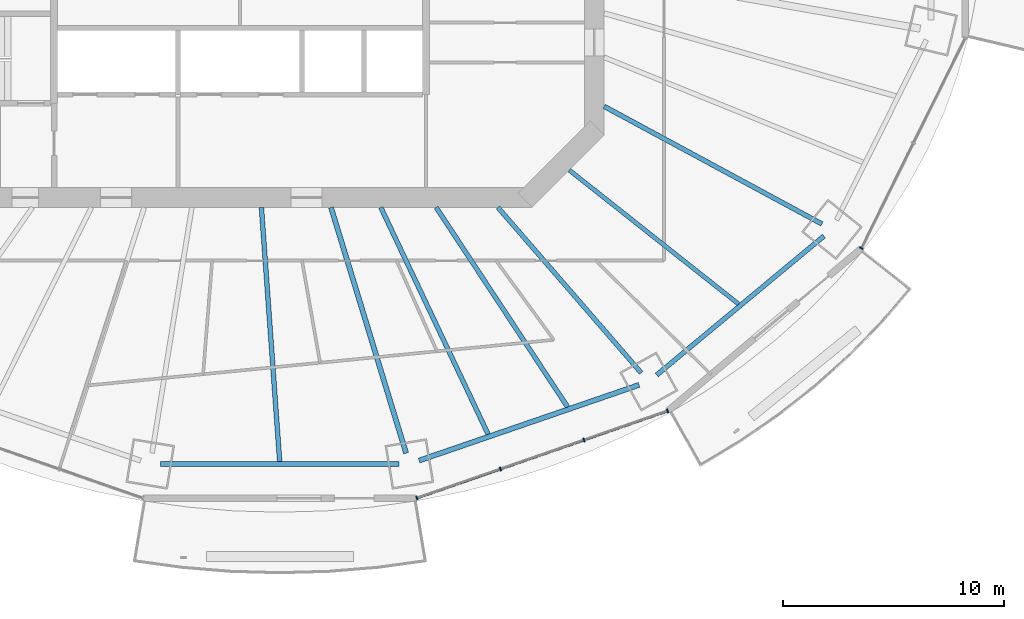
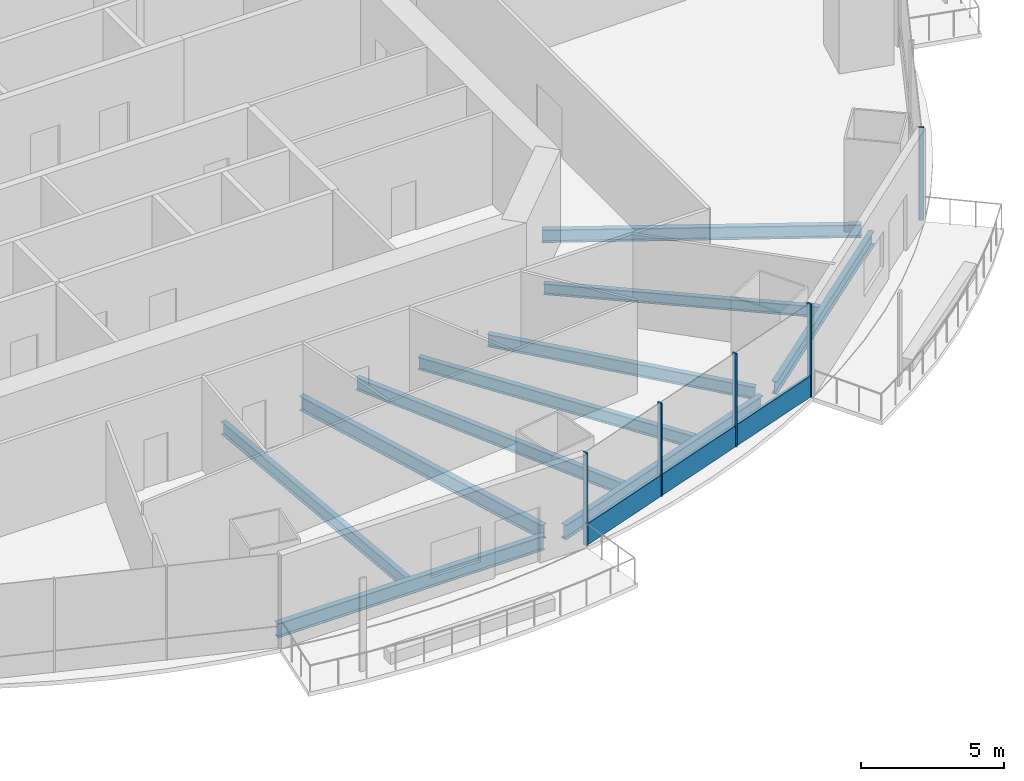
# One storey, part 4 of 21: 10 beams, 6 members, 2 elements without a shape of their own.
"""IFC4 building model written with IfcOpenShell, lengths in metres."""

from ifc_helpers import new_model, si_unit, direction, frame, origin, origin_2d, place, context, subcontext, project, spatial, rectangle, i_section, extrude, material, material_profile, profile_set, type_object, element, aggregate, save


model = new_model("IFC4")

# Units and contexts
model_context = context("Model", 3, precision=1e-05, world=origin(), true_north=direction((0.0, 1.0)))
body_context = subcontext(model_context, "Body", "Model", "MODEL_VIEW")
ifc_project = project(units=[si_unit("LENGTHUNIT", "METRE"), si_unit("AREAUNIT", "SQUARE_METRE"), si_unit("VOLUMEUNIT", "CUBIC_METRE"), si_unit("PLANEANGLEUNIT", "RADIAN"), si_unit("MASSUNIT", "GRAM", prefix="KILO")], contexts=[model_context])

# Site, building, storey
site_placement = place(None, origin())
site = spatial("IfcSite", under=ifc_project, at=site_placement, CompositionType="ELEMENT")
building_placement = place(site_placement, origin())
building = spatial("IfcBuilding", under=site, at=building_placement, Name="Marenthal Gate Tower", CompositionType="ELEMENT")
storey_placement = place(building_placement, frame((0.0, 0.0, 206.699951171875)))
storey = spatial("IfcBuildingStorey", under=building, at=storey_placement, Name="L45", CompositionType="ELEMENT", Elevation=206.699951171875)

# Curtain wall, members
ifc_material_1 = material(Name="Aluminium and glass", Category="aluminium")
curtain_wall_type = type_object("IfcCurtainWallType", Name="Curtain wall typical mid", PredefinedType="NOTDEFINED", material=ifc_material_1)
curtain_wall_1_placement = place(storey_placement, origin())
curtain_wall_1 = element("IfcCurtainWall", 1, at=curtain_wall_1_placement, inside=storey, type_object=curtain_wall_type, Name="Curtain wall L45 bay 13", PredefinedType="NOTDEFINED")
ifc_material_2 = material(Name="Aluminium", Category="aluminium")
ifc_material_profile_1 = material_profile(ifc_material_2, rectangle(XDim=0.179931640625, YDim=0.06005859375, at=origin_2d()), Name="60x180 aluminium mullion")
ifc_profile_set_1 = profile_set([ifc_material_profile_1], Name="Aluminium")
member_type_1 = type_object("IfcMemberType", Name="Mullion 60x180 typical mid", PredefinedType="MULLION", material=ifc_profile_set_1)
member_1_placement = place(storey_placement, frame((7.98779296875, -26.576171875, 0.0), z_axis=(0.0, 0.0, 1.0), x_axis=(-0.328332307555, 0.944562277362, 0.0)))
member_1 = element("IfcMember", 2, at=member_1_placement, type_object=member_type_1, Name="Mullion L45 bay 13.1", PredefinedType="MULLION", context=body_context, shape_type="SweptSolid", body=[
    extrude(rectangle(XDim=0.179931640625, YDim=0.06005859375, at=origin_2d()), origin(), (0.0, 0.0, 1.0), 3.969970703125),
])
member_2_placement = place(storey_placement, frame((11.7626953125, -25.263916015625, 0.0), z_axis=(0.0, 0.0, 1.0), x_axis=(-0.328332307555, 0.944562277362, 0.0)))
member_2 = element("IfcMember", 3, at=member_2_placement, type_object=member_type_1, Name="Mullion L45 bay 13.2", PredefinedType="MULLION", context=body_context, shape_type="SweptSolid", body=[
    extrude(rectangle(XDim=0.179931640625, YDim=0.06005859375, at=origin_2d()), origin(), (0.0, 0.0, 1.0), 3.969970703125),
])
member_3_placement = place(storey_placement, frame((15.537353515625, -23.951904296875, 0.0), z_axis=(0.0, 0.0, 1.0), x_axis=(-0.328332307555, 0.944562277362, 0.0)))
member_3 = element("IfcMember", 4, at=member_3_placement, type_object=member_type_1, Name="Mullion L45 bay 13.3", PredefinedType="MULLION", context=body_context, shape_type="SweptSolid", body=[
    extrude(rectangle(XDim=0.179931640625, YDim=0.06005859375, at=origin_2d()), origin(), (0.0, 0.0, 1.0), 3.969970703125),
])
member_4_placement = place(storey_placement, frame((19.312255859375, -22.6396484375, 0.0), z_axis=(0.0, 0.0, 1.0), x_axis=(-0.328332307555, 0.944562277362, 0.0)))
member_4 = element("IfcMember", 5, at=member_4_placement, type_object=member_type_1, Name="Mullion L45 bay 13.4", PredefinedType="MULLION", context=body_context, shape_type="SweptSolid", body=[
    extrude(rectangle(XDim=0.179931640625, YDim=0.06005859375, at=origin_2d()), origin(), (0.0, 0.0, 1.0), 3.969970703125),
])

# Curtain wall, member
curtain_wall_2_placement = place(storey_placement, origin())
curtain_wall_2 = element("IfcCurtainWall", 6, at=curtain_wall_2_placement, inside=storey, type_object=curtain_wall_type, Name="Curtain wall L45 bay 15", PredefinedType="NOTDEFINED")
member_5_placement = place(storey_placement, frame((28.064453125, -15.29296875, 0.0), z_axis=(0.0, 0.0, 1.0), x_axis=(-0.896715617309, 0.442607164057, 0.0)))
member_5 = element("IfcMember", 7, at=member_5_placement, type_object=member_type_1, Name="Mullion L45 bay 15.1", PredefinedType="MULLION", context=body_context, shape_type="SweptSolid", body=[
    extrude(rectangle(XDim=0.179931640625, YDim=0.06005859375, at=origin_2d()), origin(), (0.0, 0.0, 1.0), 3.969970703125),
])
aggregate(curtain_wall_2, [member_5])

# Member
ifc_material_3 = material(Name="Aluminium", Category="aluminium")
ifc_material_profile_2 = material_profile(ifc_material_3, rectangle(XDim=0.1201171875, YDim=0.89990234375, at=origin_2d()), Name="120x900 aluminium transom")
ifc_profile_set_2 = profile_set([ifc_material_profile_2], Name="Aluminium")
member_type_2 = type_object("IfcMemberType", Name="Transom 120x900 typical mid", PredefinedType="USERDEFINED", material=ifc_profile_set_2)
member_6_placement = place(storey_placement, frame((8.01611328125, -26.566162109375, 0.449951171875), z_axis=(0.944561661675, 0.328334078787, 0.0), x_axis=(-0.328334078787, 0.944561661675, 0.0)))
member_6 = element("IfcMember", 8, at=member_6_placement, type_object=member_type_2, Name="Transom L45 bay 13", ObjectType="TRANSOM", PredefinedType="USERDEFINED", context=body_context, shape_type="SweptSolid", body=[
    extrude(rectangle(XDim=0.1201171875, YDim=0.89990234375, at=origin_2d()), origin(), (0.0, 0.0, 1.0), 11.92919921875),
])

aggregate(curtain_wall_1, [member_1, member_2, member_3, member_4, member_6])

# Beams
ifc_material_4 = material(Name="Steel S355", Category="steel")
ifc_material_profile_3 = material_profile(ifc_material_4, i_section(OverallWidth=0.193115234375, OverallDepth=0.467041015625, WebThickness=0.011474609375, FlangeThickness=0.01904296875, FilletRadius=0.010009765625, at=origin_2d()), Name="W460X97")
ifc_profile_set_3 = profile_set([ifc_material_profile_3], Name="Steel S355")
beam_type_1 = type_object("IfcBeamType", Name="W460X97 beam", PredefinedType="BEAM", material=ifc_profile_set_3)
beam_1_placement = place(storey_placement, frame((22.51513671875, -17.811767578125, -0.413330078125), z_axis=(-0.784259115823, 0.620433428539, 0.0), x_axis=(-0.620433428539, -0.784259115823, 0.0)))
element("IfcBeam", 9, at=beam_1_placement, inside=storey, type_object=beam_type_1, Name="BM-L45-37", PredefinedType="BEAM", context=body_context, shape_type="SweptSolid", body=[
    extrude(i_section(OverallWidth=0.193115234375, OverallDepth=0.467041015625, WebThickness=0.011474609375, FlangeThickness=0.01904296875, FilletRadius=0.010009765625, at=origin_2d()), origin(), (0.0, 0.0, 1.0), 9.74609375),
])
ifc_material_5 = material(Name="Steel S355", Category="steel")
ifc_material_profile_4 = material_profile(ifc_material_5, i_section(OverallWidth=0.2099609375, OverallDepth=0.535888671875, WebThickness=0.010986328125, FlangeThickness=0.017333984375, FilletRadius=0.0126953125, at=origin_2d()), Name="W530X101")
ifc_profile_set_4 = profile_set([ifc_material_profile_4], Name="Steel S355")
beam_type_2 = type_object("IfcBeamType", Name="W530X101 beam", PredefinedType="BEAM", material=ifc_profile_set_4)
beam_2_placement = place(storey_placement, frame((18.12109375, -20.921630859375, -0.447998046875), z_axis=(-0.654698248464, 0.755890338249, 0.0), x_axis=(-0.755890338249, -0.654698248464, 0.0)))
element("IfcBeam", 10, at=beam_2_placement, inside=storey, type_object=beam_type_2, Name="BM-L45-14", PredefinedType="BEAM", context=body_context, shape_type="SweptSolid", body=[
    extrude(i_section(OverallWidth=0.2099609375, OverallDepth=0.535888671875, WebThickness=0.010986328125, FlangeThickness=0.017333984375, FilletRadius=0.0126953125, at=origin_2d()), origin(), (0.0, 0.0, 1.0), 9.884521484375),
])
beam_3_placement = place(storey_placement, frame((11.205810546875, -23.692138671875, -0.447998046875), z_axis=(-0.42755829338, 0.903987779653, 0.0), x_axis=(-0.903987779653, -0.42755829338, 0.0)))
element("IfcBeam", 11, at=beam_3_placement, inside=storey, type_object=beam_type_2, Name="BM-L45-35", PredefinedType="BEAM", context=body_context, shape_type="SweptSolid", body=[
    extrude(i_section(OverallWidth=0.2099609375, OverallDepth=0.535888671875, WebThickness=0.010986328125, FlangeThickness=0.017333984375, FilletRadius=0.0126953125, at=origin_2d()), origin(), (0.0, 0.0, 1.0), 11.330078125),
])
beam_4_placement = place(storey_placement, frame((14.793701171875, -22.45751953125, -0.447998046875), z_axis=(-0.550105699031, 0.835095036444, 0.0), x_axis=(-0.835095036444, -0.550105699031, 0.0)))
element("IfcBeam", 12, at=beam_4_placement, inside=storey, type_object=beam_type_2, Name="BM-L45-36", PredefinedType="BEAM", context=body_context, shape_type="SweptSolid", body=[
    extrude(i_section(OverallWidth=0.2099609375, OverallDepth=0.535888671875, WebThickness=0.010986328125, FlangeThickness=0.017333984375, FilletRadius=0.0126953125, at=origin_2d()), origin(), (0.0, 0.0, 1.0), 10.786376953125),
])
ifc_material_6 = material(Name="Steel S355", Category="steel")
ifc_material_profile_5 = material_profile(ifc_material_6, i_section(OverallWidth=0.2119140625, OverallDepth=0.5439453125, WebThickness=0.01318359375, FlangeThickness=0.021240234375, FilletRadius=0.0126953125, at=origin_2d()), Name="W530X123")
ifc_profile_set_5 = profile_set([ifc_material_profile_5], Name="Steel S355")
beam_type_3 = type_object("IfcBeamType", Name="W530X123 beam", PredefinedType="BEAM", material=ifc_profile_set_5)
beam_5_placement = place(storey_placement, frame((26.28271484375, -14.1962890625, -0.451904296875), z_axis=(-0.879855158012, 0.475241939352, 0.0), x_axis=(-0.475241939352, -0.879855158012, 0.0)))
element("IfcBeam", 13, at=beam_5_placement, inside=storey, type_object=beam_type_3, Name="BM-L45-15", PredefinedType="BEAM", context=body_context, shape_type="SweptSolid", body=[
    extrude(i_section(OverallWidth=0.2119140625, OverallDepth=0.5439453125, WebThickness=0.01318359375, FlangeThickness=0.021240234375, FilletRadius=0.0126953125, at=origin_2d()), origin(), (0.0, 0.0, 1.0), 11.175537109375),
])
beam_6_placement = place(storey_placement, frame((1.791748046875, -24.921875, -0.451904296875), z_axis=(-0.071704119012, 0.997425946783, 0.0), x_axis=(-0.997425946783, -0.071704119012, 0.0)))
element("IfcBeam", 14, at=beam_6_placement, inside=storey, type_object=beam_type_3, Name="BM-L45-34", PredefinedType="BEAM", context=body_context, shape_type="SweptSolid", body=[
    extrude(i_section(OverallWidth=0.2119140625, OverallDepth=0.5439453125, WebThickness=0.01318359375, FlangeThickness=0.021240234375, FilletRadius=0.0126953125, at=origin_2d()), origin(), (0.0, 0.0, 1.0), 11.50146484375),
])
beam_7_placement = place(storey_placement, frame((18.82177734375, -21.017822265625, -0.451904296875), z_axis=(0.769206538699, 0.639000235386, 0.0), x_axis=(-0.639000235386, 0.769206538699, 0.0)))
element("IfcBeam", 15, at=beam_7_placement, inside=storey, type_object=beam_type_3, Name="BM-L45-54", PredefinedType="BEAM", context=body_context, shape_type="SweptSolid", body=[
    extrude(i_section(OverallWidth=0.2119140625, OverallDepth=0.5439453125, WebThickness=0.01318359375, FlangeThickness=0.021240234375, FilletRadius=0.0126953125, at=origin_2d()), origin(), (0.0, 0.0, 1.0), 9.8212890625),
])
ifc_material_7 = material(Name="Steel S355", Category="steel")
ifc_material_profile_6 = material_profile(ifc_material_7, i_section(OverallWidth=0.22900390625, OverallDepth=0.612060546875, WebThickness=0.011962890625, FlangeThickness=0.01953125, FilletRadius=0.0126953125, at=origin_2d()), Name="W610X125")
ifc_profile_set_6 = profile_set([ifc_material_profile_6], Name="Steel S355")
beam_type_4 = type_object("IfcBeamType", Name="W610X125 beam", PredefinedType="BEAM", material=ifc_profile_set_6)
beam_8_placement = place(storey_placement, frame((7.50244140625, -24.5498046875, -0.48583984375), z_axis=(-0.292255409106, 0.956340303369, 0.0), x_axis=(-0.956340303369, -0.292255409106, 0.0)))
element("IfcBeam", 16, at=beam_8_placement, inside=storey, type_object=beam_type_4, Name="BM-L45-13", PredefinedType="BEAM", context=body_context, shape_type="SweptSolid", body=[
    extrude(i_section(OverallWidth=0.22900390625, OverallDepth=0.612060546875, WebThickness=0.011962890625, FlangeThickness=0.01953125, FilletRadius=0.0126953125, at=origin_2d()), origin(), (0.0, 0.0, 1.0), 11.606689453125),
])
beam_9_placement = place(storey_placement, frame((-3.588134765625, -25.036376953125, -0.48583984375), z_axis=(1.0, 0.0, 0.0), x_axis=(0.0, 1.0, 0.0)))
element("IfcBeam", 17, at=beam_9_placement, inside=storey, type_object=beam_type_4, Name="BM-L45-52", PredefinedType="BEAM", context=body_context, shape_type="SweptSolid", body=[
    extrude(i_section(OverallWidth=0.22900390625, OverallDepth=0.612060546875, WebThickness=0.011962890625, FlangeThickness=0.01953125, FilletRadius=0.0126953125, at=origin_2d()), origin(), (0.0, 0.0, 1.0), 10.7763671875),
])
beam_10_placement = place(storey_placement, frame((8.08935546875, -24.885498046875, -0.48583984375), z_axis=(0.945585416751, 0.325373968884, 0.0), x_axis=(-0.325373968884, 0.945585416751, 0.0)))
element("IfcBeam", 18, at=beam_10_placement, inside=storey, type_object=beam_type_4, Name="BM-L45-53", PredefinedType="BEAM", context=body_context, shape_type="SweptSolid", body=[
    extrude(i_section(OverallWidth=0.22900390625, OverallDepth=0.612060546875, WebThickness=0.011962890625, FlangeThickness=0.01953125, FilletRadius=0.0126953125, at=origin_2d()), origin(), (0.0, 0.0, 1.0), 10.50537109375),
])

save(model, "model.ifc")
